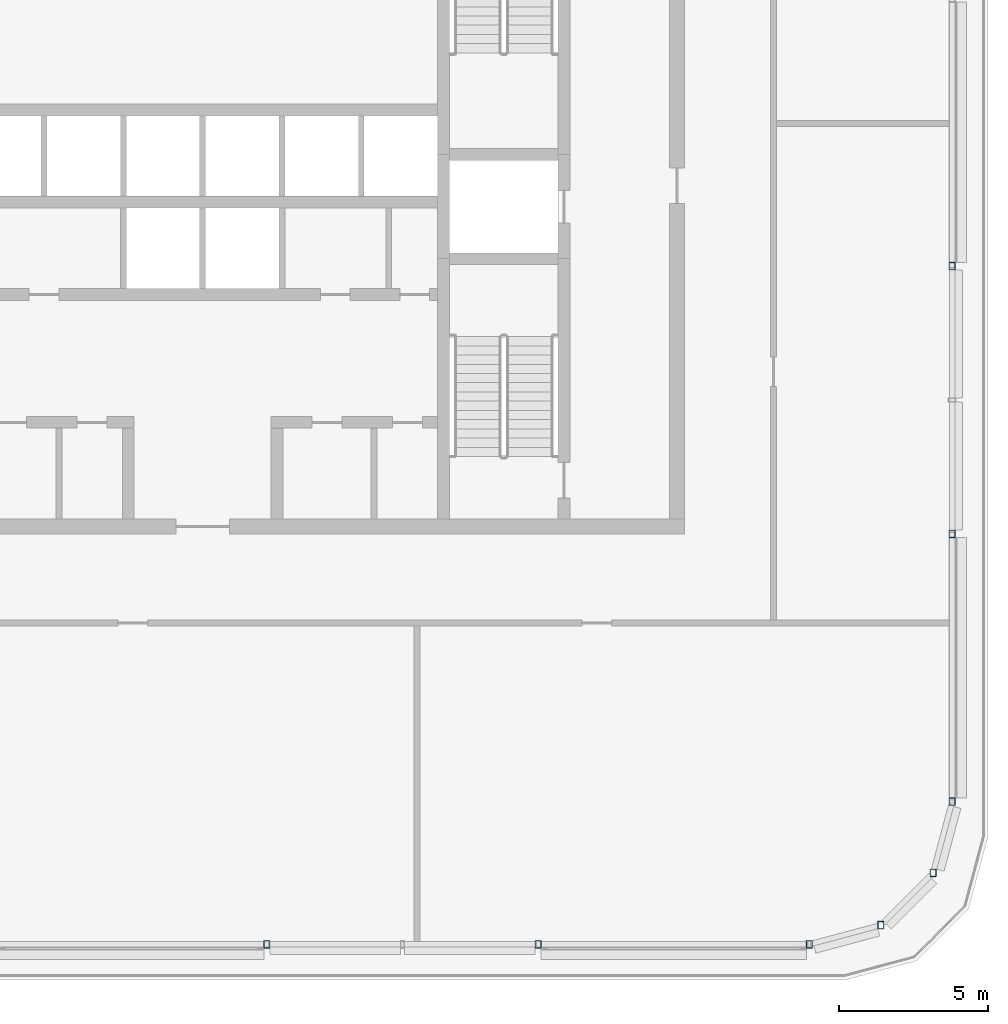
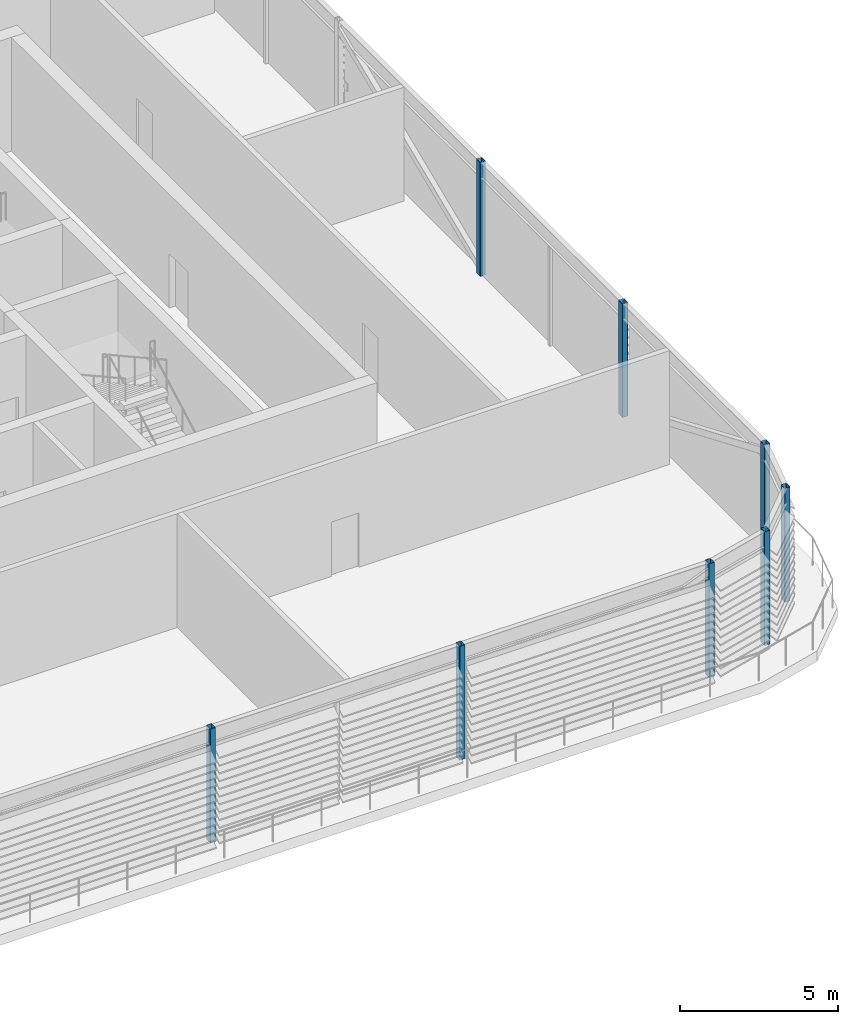
# One storey, part 2 of 29: 8 columns.
"""IFC4 building model written with IfcOpenShell, lengths in metres."""

from ifc_helpers import new_model, si_unit, direction, frame, origin, origin_2d, place, context, subcontext, project, spatial, hollow_rectangle, extrude, material, material_profile, profile_set, type_object, element, save


model = new_model("IFC4")

# Units and contexts
model_context = context("Model", 3, precision=1e-05, world=origin(), true_north=direction((0.0, 1.0)))
body_context = subcontext(model_context, "Body", "Model", "MODEL_VIEW")
ifc_project = project(units=[si_unit("LENGTHUNIT", "METRE"), si_unit("AREAUNIT", "SQUARE_METRE"), si_unit("VOLUMEUNIT", "CUBIC_METRE"), si_unit("PLANEANGLEUNIT", "RADIAN"), si_unit("MASSUNIT", "GRAM", prefix="KILO")], contexts=[model_context])

# Site, building, storey
site_placement = place(None, origin())
site = spatial("IfcSite", under=ifc_project, at=site_placement, CompositionType="ELEMENT")
building_placement = place(site_placement, origin())
building = spatial("IfcBuilding", under=site, at=building_placement, Name="Madar Terraces", CompositionType="ELEMENT")
storey_placement = place(building_placement, frame((0.0, 0.0, 296.300048828125)))
storey = spatial("IfcBuildingStorey", under=building, at=storey_placement, Name="L77", CompositionType="ELEMENT", Elevation=296.300048828125)

# Columns
ifc_material = material(Name="Steel ASTM A500 Grade C", Category="steel")
ifc_material_profile = material_profile(ifc_material, hollow_rectangle(XDim=0.203125, YDim=0.25390625, WallThickness=0.009521484375, InnerFilletRadius=0.00439453125, OuterFilletRadius=0.01318359375, at=origin_2d()), Name="HSS10x8x.375")
ifc_profile_set = profile_set([ifc_material_profile], Name="Steel ASTM A500 Grade C")
column_type = type_object("IfcColumnType", Name="CF1 HSS10x8x.375", PredefinedType="COLUMN", material=ifc_profile_set)
for number, where, z_axis, x_axis, name in (
    (1, (33.360107421875, 1.199951171875, 0.0), (0.0, 0.0, 1.0), (1.0, 0.0, 0.0), "Crown frame column CF1"),
    (2, (42.47998046875, 1.199951171875, 0.0), (0.0, 0.0, 1.0), (1.0, 0.0, 0.0), "Crown frame column CF1"),
    (3, (51.60009765625, 1.199951171875, 0.0), (0.0, 0.0, 1.0), (1.0, 0.0, 0.0), "Crown frame column CF1"),
    (4, (54.0, 1.843017578125, 0.0), (0.0, 0.0, 1.0), (1.0, 0.0, 0.0), "Crown frame column CF1"),
    (5, (55.7568359375, 3.60009765625, 0.0), (0.0, 0.0, 1.0), (1.0, 0.0, 0.0), "Crown frame column CF1"),
    (6, (56.39990234375, 6.0, 0.0), (0.0, 0.0, 1.0), (1.0, 0.0, 0.0), "Crown frame column CF1"),
    (7, (56.39990234375, 15.0, 0.0), (0.0, 0.0, 1.0), (1.0, 0.0, 0.0), "Crown frame column CF1"),
    (8, (56.39990234375, 24.0, 0.0), (0.0, 0.0, 1.0), (1.0, 0.0, 0.0), "Crown frame column CF1"),
):
    element("IfcColumn", number, at=place(storey_placement, frame(where, z_axis=z_axis, x_axis=x_axis)), inside=storey, type_object=column_type, Name=name, PredefinedType="COLUMN", context=body_context, shape_type="SweptSolid", body=[
        extrude(hollow_rectangle(XDim=0.203125, YDim=0.25390625, WallThickness=0.009521484375, InnerFilletRadius=0.00439453125, OuterFilletRadius=0.01318359375, at=origin_2d()), origin(), (0.0, 0.0, 1.0), 4.39990234375),
    ])

save(model, "model.ifc")
